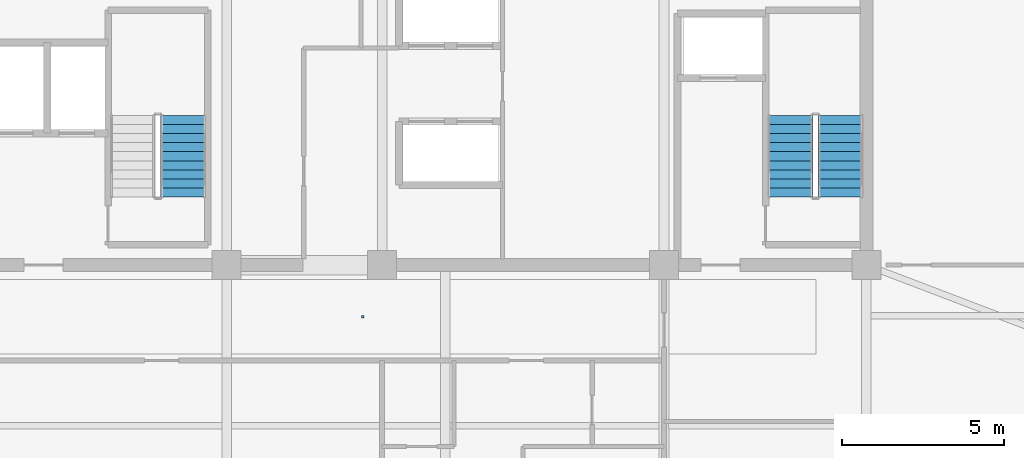
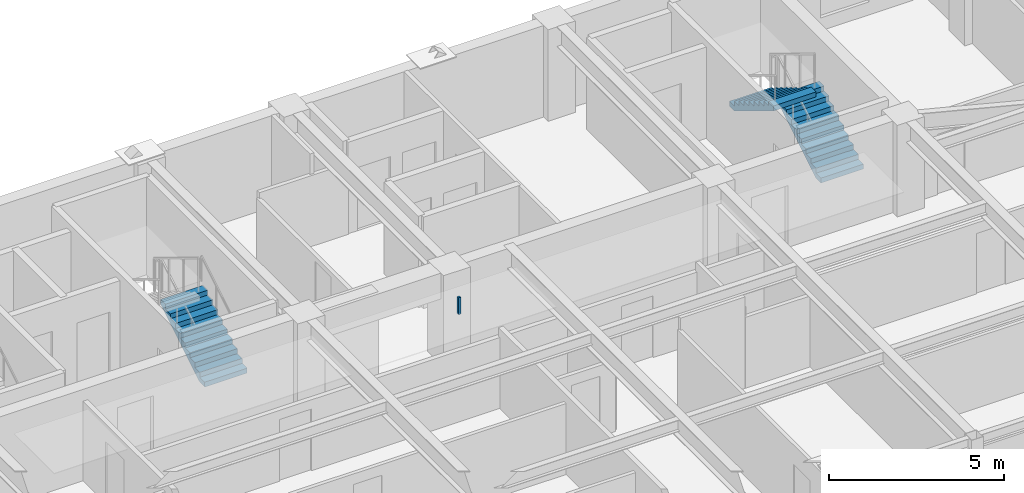
# One storey, part 9 of 12: 3 stair flights, 1 discrete accessory, 2 elements without a shape of their own.
"""IFC4 building model written with IfcOpenShell, lengths in metres."""

from ifc_helpers import new_model, si_unit, direction, frame, origin, origin_2d, place, context, subcontext, project, spatial, polyline, rectangle, outline, extrude, source, transform, mapped, material, type_object, element, aggregate, save


model = new_model("IFC4")

# Units and contexts
model_context = context("Model", 3, precision=1e-05, world=origin(), true_north=direction((0.0, 1.0)))
body_context = subcontext(model_context, "Body", "Model", "MODEL_VIEW")
ifc_project = project(units=[si_unit("LENGTHUNIT", "METRE"), si_unit("AREAUNIT", "SQUARE_METRE"), si_unit("VOLUMEUNIT", "CUBIC_METRE"), si_unit("PLANEANGLEUNIT", "RADIAN"), si_unit("MASSUNIT", "GRAM", prefix="KILO")], contexts=[model_context])

# Site, building, storey
site_placement = place(None, origin())
site = spatial("IfcSite", under=ifc_project, at=site_placement, CompositionType="ELEMENT")
building_placement = place(site_placement, origin())
building = spatial("IfcBuilding", under=site, at=building_placement, Name="Giltprow Tower", CompositionType="ELEMENT")
storey_placement = place(building_placement, frame((0.0, 0.0, 339.10009765625)))
storey = spatial("IfcBuildingStorey", under=building, at=storey_placement, Name="L88", CompositionType="ELEMENT", Elevation=339.10009765625)

# Stair, stair flight
ifc_material_1 = material(Name="Concrete C40", Category="concrete")
stair_type_1 = type_object("IfcStairType", Name="STR-ST-2", PredefinedType="HALF_TURN_STAIR", material=ifc_material_1)
stair_1_placement = place(storey_placement, origin())
stair_1 = element("IfcStair", 1, at=stair_1_placement, inside=storey, type_object=stair_type_1, Name="L88 Core Exit Stair ST-2", PredefinedType="HALF_TURN_STAIR")
stair_flight_type_1 = type_object("IfcStairFlightType", Name="SFL-ST-2", PredefinedType="STRAIGHT", material=ifc_material_1)
stair_flight_1_placement = place(storey_placement, frame((29.4599609375, 39.550048828125, 0.0), z_axis=(0.0, 0.0, 1.0), x_axis=(0.0, 1.0, 0.0)))
stair_flight_1 = element("IfcStairFlight", 2, at=stair_flight_1_placement, type_object=stair_flight_type_1, Name="ST-2 flight 1", NumberOfRisers=10, NumberOfTreads=9, PredefinedType="STRAIGHT", RiserHeight=0.17, TreadLength=0.28, context=body_context, shape_type="SweptSolid", body=[
    extrude(outline(polyline([(0.0, 0.0), (0.0, 0.169921875), (0.280029296875, 0.169921875), (0.280029296875, 0.340087890625), (0.56005859375, 0.340087890625), (0.56005859375, 0.510009765625), (0.840087890625, 0.510009765625), (0.840087890625, 0.679931640625), (1.1201171875, 0.679931640625), (1.1201171875, 0.85009765625), (1.39990234375, 0.85009765625), (1.39990234375, 1.02001953125), (1.679931640625, 1.02001953125), (1.679931640625, 1.18994140625), (1.9599609375, 1.18994140625), (1.9599609375, 1.360107421875), (2.239990234375, 1.360107421875), (2.239990234375, 1.530029296875), (2.52001953125, 1.530029296875), (2.52001953125, 1.699951171875), (2.52001953125, 1.354736328125), (0.288818359375, 0.0), (0.0, 0.0)])), frame((0.0, 0.699951171875, 0.0), z_axis=(0.0, -1.0, 0.0), x_axis=(1.0, 0.0, 0.0)), (0.0, 0.0, 1.0), 1.39990234375),
])
aggregate(stair_1, [stair_flight_1])

# Stair, stair flights
stair_type_2 = type_object("IfcStairType", Name="STR-ST-3", PredefinedType="HALF_TURN_STAIR", material=ifc_material_1)
stair_2_placement = place(storey_placement, origin())
stair_2 = element("IfcStair", 3, at=stair_2_placement, inside=storey, type_object=stair_type_2, Name="L88 Core Exit Stair ST-3", PredefinedType="HALF_TURN_STAIR")
stair_flight_type_2 = type_object("IfcStairFlightType", Name="SFL-ST-3", PredefinedType="STRAIGHT", material=ifc_material_1)
stair_flight_2_placement = place(storey_placement, frame((49.760009765625, 39.550048828125, 0.0), z_axis=(0.0, 0.0, 1.0), x_axis=(0.0, 1.0, 0.0)))
stair_flight_2 = element("IfcStairFlight", 4, at=stair_flight_2_placement, type_object=stair_flight_type_2, Name="ST-3 flight 1", NumberOfRisers=10, NumberOfTreads=9, PredefinedType="STRAIGHT", RiserHeight=0.17, TreadLength=0.28, context=body_context, shape_type="SweptSolid", body=[
    extrude(outline(polyline([(0.0, 0.0), (0.0, 0.169921875), (0.280029296875, 0.169921875), (0.280029296875, 0.340087890625), (0.56005859375, 0.340087890625), (0.56005859375, 0.510009765625), (0.840087890625, 0.510009765625), (0.840087890625, 0.679931640625), (1.1201171875, 0.679931640625), (1.1201171875, 0.85009765625), (1.39990234375, 0.85009765625), (1.39990234375, 1.02001953125), (1.679931640625, 1.02001953125), (1.679931640625, 1.18994140625), (1.9599609375, 1.18994140625), (1.9599609375, 1.360107421875), (2.239990234375, 1.360107421875), (2.239990234375, 1.530029296875), (2.52001953125, 1.530029296875), (2.52001953125, 1.699951171875), (2.52001953125, 1.354736328125), (0.288818359375, 0.0), (0.0, 0.0)])), frame((0.0, 0.699951171875, 0.0), z_axis=(0.0, -1.0, 0.0), x_axis=(1.0, 0.0, 0.0)), (0.0, 0.0, 1.0), 1.39990234375),
])
stair_flight_3_placement = place(storey_placement, frame((48.199951171875, 42.070068359375, 1.699951171875), z_axis=(0.0, 0.0, 1.0), x_axis=(0.0, -1.0, 0.0)))
stair_flight_3 = element("IfcStairFlight", 5, at=stair_flight_3_placement, type_object=stair_flight_type_2, Name="ST-3 flight 2", NumberOfRisers=10, NumberOfTreads=9, PredefinedType="STRAIGHT", RiserHeight=0.17, TreadLength=0.28, context=body_context, shape_type="SweptSolid", body=[
    extrude(outline(polyline([(0.0, 0.0), (0.0, 0.169921875), (0.280029296875, 0.169921875), (0.280029296875, 0.340087890625), (0.56005859375, 0.340087890625), (0.56005859375, 0.510009765625), (0.840087890625, 0.510009765625), (0.840087890625, 0.679931640625), (1.1201171875, 0.679931640625), (1.1201171875, 0.85009765625), (1.39990234375, 0.85009765625), (1.39990234375, 1.02001953125), (1.679931640625, 1.02001953125), (1.679931640625, 1.18994140625), (1.9599609375, 1.18994140625), (1.9599609375, 1.360107421875), (2.239990234375, 1.360107421875), (2.239990234375, 1.530029296875), (2.52001953125, 1.530029296875), (2.52001953125, 1.699951171875), (2.52001953125, 1.354736328125), (0.288818359375, 0.0), (0.0, 0.0)])), frame((0.0, 0.699951171875, 0.0), z_axis=(0.0, -1.0, 0.0), x_axis=(1.0, 0.0, 0.0)), (0.0, 0.0, 1.0), 1.39990234375),
])
aggregate(stair_2, [stair_flight_2, stair_flight_3])

# Discrete accessory
ifc_material_2 = material(Name="Structural steel Q355B", Category="steel")
discrete_accessory_type = type_object("IfcDiscreteAccessoryType", Name="ACC-CLG-HANGER", PredefinedType="BRACKET", material=ifc_material_2)
shared_shape = source(origin(), body_context, "Body", "SweptSolid", [
    extrude(rectangle(XDim=0.080078125, YDim=0.080078125, at=origin_2d()), origin(), (0.0, 0.0, 1.0), 0.5849609375),
])
discrete_accessory_placement = place(storey_placement, frame((35.0, 35.85009765625, 2.620361328125), z_axis=(0.0, 0.0, 1.0), x_axis=(1.0, 0.0, 0.0)))
element("IfcDiscreteAccessory", 6, at=discrete_accessory_placement, inside=storey, type_object=discrete_accessory_type, Name="L88 Residence Gallery Ceiling Suspension Hanger", PredefinedType="BRACKET", context=body_context, shape_type="MappedRepresentation", body=[
    mapped(shared_shape, transform((0.0, 0.0, 0.0), x_axis=(1.0, 0.0, 0.0), y_axis=(0.0, 1.0, 0.0), z_axis=(0.0, 0.0, 1.0), scale=1.0)),
])

save(model, "model.ifc")
